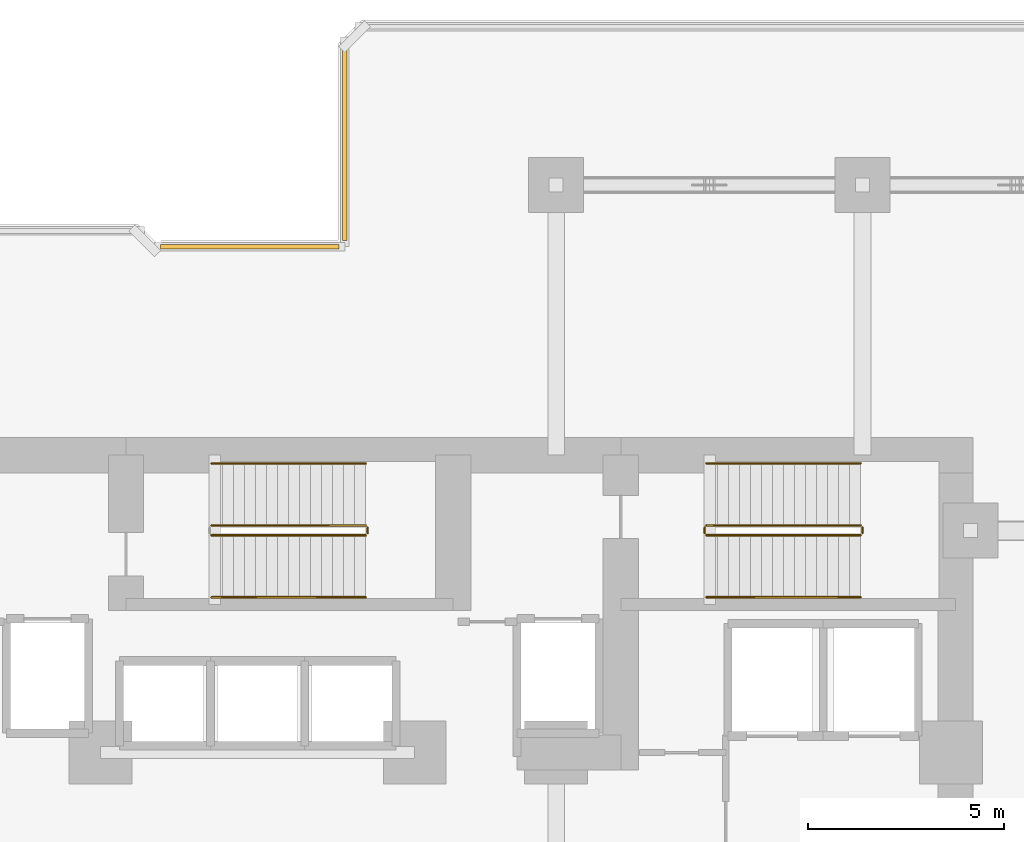
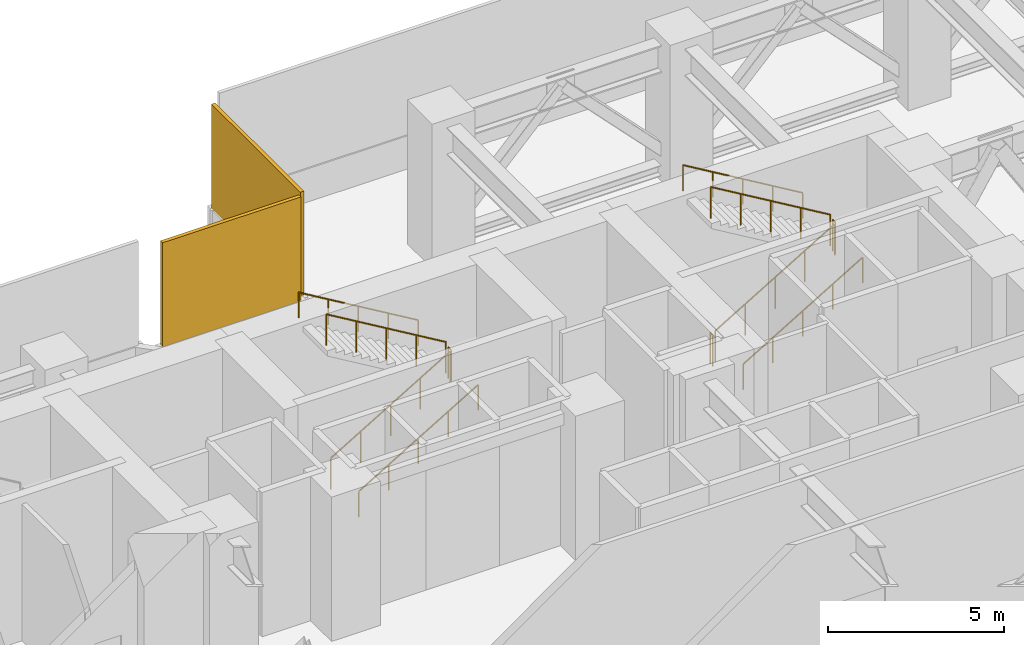
# One storey, part 12 of 13: 11 railings, 2 shading devices.
"""IFC4 building model written with IfcOpenShell, lengths in metres."""

from ifc_helpers import new_model, si_unit, direction, frame, origin, origin_2d, place, context, subcontext, project, spatial, rectangle, circle, extrude, material, layer, layer_set, type_object, element, save


model = new_model("IFC4")

# Units and contexts
model_context = context("Model", 3, precision=1e-05, world=origin(), true_north=direction((0.0, 1.0)))
body_context = subcontext(model_context, "Body", "Model", "MODEL_VIEW")
ifc_project = project(units=[si_unit("LENGTHUNIT", "METRE"), si_unit("AREAUNIT", "SQUARE_METRE"), si_unit("VOLUMEUNIT", "CUBIC_METRE"), si_unit("PLANEANGLEUNIT", "RADIAN"), si_unit("MASSUNIT", "GRAM", prefix="KILO")], contexts=[model_context])

# Site, building, storey
site_placement = place(None, origin())
site = spatial("IfcSite", under=ifc_project, at=site_placement, CompositionType="ELEMENT")
building_placement = place(site_placement, origin())
building = spatial("IfcBuilding", under=site, at=building_placement, Name="Kestravale Grand Hotel", CompositionType="ELEMENT")
storey_placement = place(building_placement, frame((0.0, 0.0, 75.39990234375)))
storey = spatial("IfcBuildingStorey", under=building, at=storey_placement, Name="L18", CompositionType="ELEMENT", Elevation=75.39990234375)

# Railings
ifc_material_1 = material(Name="Painted tubular steel stair well guard", Category="steel")
railing_type_1 = type_object("IfcRailingType", Name="RL-ST-GRD1100", PredefinedType="GUARDRAIL", material=ifc_material_1)
railing_1_placement = place(storey_placement, frame((38.030029296875, 38.280029296875, 0.166748046875)))
element("IfcRailing", 1, at=railing_1_placement, inside=storey, type_object=railing_type_1, Name="L18 ST-2 stair guard 1", PredefinedType="GUARDRAIL", context=body_context, shape_type="SweptSolid", body=[
    extrude(circle(Radius=0.02392578125, at=origin_2d()), frame((0.0, 0.0, 1.076171875), z_axis=(0.859296244711, 0.0, 0.511478214419), x_axis=(0.0, 1.0, 0.0)), (0.0, 0.0, 1.0), 4.561767578125),
    extrude(circle(Radius=0.02099609375, at=origin_2d()), origin(), (0.0, 0.0, 1.0), 1.052001953125),
    extrude(circle(Radius=0.02099609375, at=origin_2d()), frame((0.97998046875, 0.0, 0.583251953125)), (0.0, 0.0, 1.0), 1.052001953125),
    extrude(circle(Radius=0.02099609375, at=origin_2d()), frame((1.9599609375, 0.0, 1.16650390625)), (0.0, 0.0, 1.0), 1.052001953125),
    extrude(circle(Radius=0.02099609375, at=origin_2d()), frame((2.93994140625, 0.0, 1.75)), (0.0, 0.0, 1.0), 1.052001953125),
    extrude(circle(Radius=0.02099609375, at=origin_2d()), frame((3.919921875, 0.0, 2.333251953125)), (0.0, 0.0, 1.0), 1.052001953125),
])
railing_2_placement = place(storey_placement, frame((42.0, 38.330078125, 2.5)))
element("IfcRailing", 2, at=railing_2_placement, inside=storey, type_object=railing_type_1, Name="L18 ST-2 stair guard 2", PredefinedType="GUARDRAIL", context=body_context, shape_type="SweptSolid", body=[
    extrude(circle(Radius=0.02392578125, at=origin_2d()), frame((0.0, 0.0, 1.076171875), z_axis=(0.0, 1.0, 0.0), x_axis=(-1.0, 0.0, 0.0)), (0.0, 0.0, 1.0), 0.14990234375),
    extrude(circle(Radius=0.02099609375, at=origin_2d()), origin(), (0.0, 0.0, 1.0), 1.052001953125),
    extrude(circle(Radius=0.02099609375, at=origin_2d()), frame((0.0, 0.14990234375, 0.0)), (0.0, 0.0, 1.0), 1.052001953125),
])
railing_3_placement = place(storey_placement, frame((41.949951171875, 38.530029296875, 2.666748046875)))
element("IfcRailing", 3, at=railing_3_placement, inside=storey, type_object=railing_type_1, Name="L18 ST-2 stair guard 3", PredefinedType="GUARDRAIL", context=body_context, shape_type="SweptSolid", body=[
    extrude(circle(Radius=0.02392578125, at=origin_2d()), frame((0.0, 0.0, 1.076171875), z_axis=(-0.859296244711, 0.0, 0.511478214419), x_axis=(0.0, -1.0, 0.0)), (0.0, 0.0, 1.0), 4.561767578125),
    extrude(circle(Radius=0.02099609375, at=origin_2d()), origin(), (0.0, 0.0, 1.0), 1.052001953125),
    extrude(circle(Radius=0.02099609375, at=origin_2d()), frame((-0.97998046875, 0.0, 0.583251953125)), (0.0, 0.0, 1.0), 1.052001953125),
    extrude(circle(Radius=0.02099609375, at=origin_2d()), frame((-1.9599609375, 0.0, 1.16650390625)), (0.0, 0.0, 1.0), 1.052001953125),
    extrude(circle(Radius=0.02099609375, at=origin_2d()), frame((-2.93994140625, 0.0, 1.75)), (0.0, 0.0, 1.0), 1.052001953125),
    extrude(circle(Radius=0.02099609375, at=origin_2d()), frame((-3.919921875, 0.0, 2.333251953125)), (0.0, 0.0, 1.0), 1.052001953125),
])
railing_4_placement = place(storey_placement, frame((50.6298828125, 38.280029296875, 0.166748046875)))
element("IfcRailing", 4, at=railing_4_placement, inside=storey, type_object=railing_type_1, Name="L18 ST-3 stair guard 1", PredefinedType="GUARDRAIL", context=body_context, shape_type="SweptSolid", body=[
    extrude(circle(Radius=0.02392578125, at=origin_2d()), frame((0.0, 0.0, 1.076171875), z_axis=(0.859310244771, 0.0, 0.511454693235), x_axis=(0.0, 1.0, 0.0)), (0.0, 0.0, 1.0), 4.56201171875),
    extrude(circle(Radius=0.02099609375, at=origin_2d()), origin(), (0.0, 0.0, 1.0), 1.052001953125),
    extrude(circle(Radius=0.02099609375, at=origin_2d()), frame((0.97998046875, 0.0, 0.583251953125)), (0.0, 0.0, 1.0), 1.052001953125),
    extrude(circle(Radius=0.02099609375, at=origin_2d()), frame((1.9599609375, 0.0, 1.16650390625)), (0.0, 0.0, 1.0), 1.052001953125),
    extrude(circle(Radius=0.02099609375, at=origin_2d()), frame((2.940185546875, 0.0, 1.75)), (0.0, 0.0, 1.0), 1.052001953125),
    extrude(circle(Radius=0.02099609375, at=origin_2d()), frame((3.920166015625, 0.0, 2.333251953125)), (0.0, 0.0, 1.0), 1.052001953125),
])
railing_5_placement = place(storey_placement, frame((54.60009765625, 38.330078125, 2.5)))
element("IfcRailing", 5, at=railing_5_placement, inside=storey, type_object=railing_type_1, Name="L18 ST-3 stair guard 2", PredefinedType="GUARDRAIL", context=body_context, shape_type="SweptSolid", body=[
    extrude(circle(Radius=0.02392578125, at=origin_2d()), frame((0.0, 0.0, 1.076171875), z_axis=(0.0, 1.0, 0.0), x_axis=(-1.0, 0.0, 0.0)), (0.0, 0.0, 1.0), 0.14990234375),
    extrude(circle(Radius=0.02099609375, at=origin_2d()), origin(), (0.0, 0.0, 1.0), 1.052001953125),
    extrude(circle(Radius=0.02099609375, at=origin_2d()), frame((0.0, 0.14990234375, 0.0)), (0.0, 0.0, 1.0), 1.052001953125),
])
railing_6_placement = place(storey_placement, frame((54.550048828125, 38.530029296875, 2.666748046875)))
element("IfcRailing", 6, at=railing_6_placement, inside=storey, type_object=railing_type_1, Name="L18 ST-3 stair guard 3", PredefinedType="GUARDRAIL", context=body_context, shape_type="SweptSolid", body=[
    extrude(circle(Radius=0.02392578125, at=origin_2d()), frame((0.0, 0.0, 1.076171875), z_axis=(-0.859310244771, 0.0, 0.511454693235), x_axis=(0.0, -1.0, 0.0)), (0.0, 0.0, 1.0), 4.56201171875),
    extrude(circle(Radius=0.02099609375, at=origin_2d()), origin(), (0.0, 0.0, 1.0), 1.052001953125),
    extrude(circle(Radius=0.02099609375, at=origin_2d()), frame((-0.97998046875, 0.0, 0.583251953125)), (0.0, 0.0, 1.0), 1.052001953125),
    extrude(circle(Radius=0.02099609375, at=origin_2d()), frame((-1.9599609375, 0.0, 1.16650390625)), (0.0, 0.0, 1.0), 1.052001953125),
    extrude(circle(Radius=0.02099609375, at=origin_2d()), frame((-2.940185546875, 0.0, 1.75)), (0.0, 0.0, 1.0), 1.052001953125),
    extrude(circle(Radius=0.02099609375, at=origin_2d()), frame((-3.920166015625, 0.0, 2.333251953125)), (0.0, 0.0, 1.0), 1.052001953125),
])
railing_7_placement = place(storey_placement, frame((50.580078125, 38.330078125, 0.0)))
element("IfcRailing", 7, at=railing_7_placement, inside=storey, type_object=railing_type_1, Name="L18 ST-3 stair guard 4", PredefinedType="GUARDRAIL", context=body_context, shape_type="SweptSolid", body=[
    extrude(circle(Radius=0.02392578125, at=origin_2d()), frame((0.0, 0.0, 1.076171875), z_axis=(0.0, 1.0, 0.0), x_axis=(-1.0, 0.0, 0.0)), (0.0, 0.0, 1.0), 0.14990234375),
    extrude(circle(Radius=0.02099609375, at=origin_2d()), origin(), (0.0, 0.0, 1.0), 1.052001953125),
    extrude(circle(Radius=0.02099609375, at=origin_2d()), frame((0.0, 0.14990234375, 0.0)), (0.0, 0.0, 1.0), 1.052001953125),
])
ifc_material_2 = material(Name="Brushed stainless steel wall handrail", Category="steel")
railing_type_2 = type_object("IfcRailingType", Name="RL-ST-HND900", PredefinedType="HANDRAIL", material=ifc_material_2)
railing_8_placement = place(storey_placement, frame((38.030029296875, 36.699951171875, 0.166748046875)))
element("IfcRailing", 8, at=railing_8_placement, inside=storey, type_object=railing_type_2, Name="L18 ST-2 stair handrail 1", PredefinedType="HANDRAIL", context=body_context, shape_type="SweptSolid", body=[
    extrude(circle(Radius=0.02392578125, at=origin_2d()), frame((0.0, 0.0, 0.8759765625), z_axis=(0.859296244711, 0.0, 0.511478214419), x_axis=(0.0, 1.0, 0.0)), (0.0, 0.0, 1.0), 4.561767578125),
    extrude(circle(Radius=0.02099609375, at=origin_2d()), origin(), (0.0, 0.0, 1.0), 0.851806640625),
    extrude(circle(Radius=0.02099609375, at=origin_2d()), frame((0.97998046875, 0.0, 0.583251953125)), (0.0, 0.0, 1.0), 0.851806640625),
    extrude(circle(Radius=0.02099609375, at=origin_2d()), frame((1.9599609375, 0.0, 1.16650390625)), (0.0, 0.0, 1.0), 0.851806640625),
    extrude(circle(Radius=0.02099609375, at=origin_2d()), frame((2.93994140625, 0.0, 1.75)), (0.0, 0.0, 1.0), 0.851806640625),
    extrude(circle(Radius=0.02099609375, at=origin_2d()), frame((3.919921875, 0.0, 2.333251953125)), (0.0, 0.0, 1.0), 0.851806640625),
])
railing_9_placement = place(storey_placement, frame((41.949951171875, 40.110107421875, 2.666748046875)))
element("IfcRailing", 9, at=railing_9_placement, inside=storey, type_object=railing_type_2, Name="L18 ST-2 stair handrail 2", PredefinedType="HANDRAIL", context=body_context, shape_type="SweptSolid", body=[
    extrude(circle(Radius=0.02392578125, at=origin_2d()), frame((0.0, 0.0, 0.8759765625), z_axis=(-0.859296244711, 0.0, 0.511478214419), x_axis=(0.0, -1.0, 0.0)), (0.0, 0.0, 1.0), 4.561767578125),
    extrude(circle(Radius=0.02099609375, at=origin_2d()), origin(), (0.0, 0.0, 1.0), 0.851806640625),
    extrude(circle(Radius=0.02099609375, at=origin_2d()), frame((-0.97998046875, 0.0, 0.583251953125)), (0.0, 0.0, 1.0), 0.851806640625),
    extrude(circle(Radius=0.02099609375, at=origin_2d()), frame((-1.9599609375, 0.0, 1.16650390625)), (0.0, 0.0, 1.0), 0.851806640625),
    extrude(circle(Radius=0.02099609375, at=origin_2d()), frame((-2.93994140625, 0.0, 1.75)), (0.0, 0.0, 1.0), 0.851806640625),
    extrude(circle(Radius=0.02099609375, at=origin_2d()), frame((-3.919921875, 0.0, 2.333251953125)), (0.0, 0.0, 1.0), 0.851806640625),
])
railing_10_placement = place(storey_placement, frame((50.6298828125, 36.699951171875, 0.166748046875)))
element("IfcRailing", 10, at=railing_10_placement, inside=storey, type_object=railing_type_2, Name="L18 ST-3 stair handrail 1", PredefinedType="HANDRAIL", context=body_context, shape_type="SweptSolid", body=[
    extrude(circle(Radius=0.02392578125, at=origin_2d()), frame((0.0, 0.0, 0.8759765625), z_axis=(0.859310244771, 0.0, 0.511454693235), x_axis=(0.0, 1.0, 0.0)), (0.0, 0.0, 1.0), 4.56201171875),
    extrude(circle(Radius=0.02099609375, at=origin_2d()), origin(), (0.0, 0.0, 1.0), 0.851806640625),
    extrude(circle(Radius=0.02099609375, at=origin_2d()), frame((0.97998046875, 0.0, 0.583251953125)), (0.0, 0.0, 1.0), 0.851806640625),
    extrude(circle(Radius=0.02099609375, at=origin_2d()), frame((1.9599609375, 0.0, 1.16650390625)), (0.0, 0.0, 1.0), 0.851806640625),
    extrude(circle(Radius=0.02099609375, at=origin_2d()), frame((2.940185546875, 0.0, 1.75)), (0.0, 0.0, 1.0), 0.851806640625),
    extrude(circle(Radius=0.02099609375, at=origin_2d()), frame((3.920166015625, 0.0, 2.333251953125)), (0.0, 0.0, 1.0), 0.851806640625),
])
railing_11_placement = place(storey_placement, frame((54.550048828125, 40.110107421875, 2.666748046875)))
element("IfcRailing", 11, at=railing_11_placement, inside=storey, type_object=railing_type_2, Name="L18 ST-3 stair handrail 2", PredefinedType="HANDRAIL", context=body_context, shape_type="SweptSolid", body=[
    extrude(circle(Radius=0.02392578125, at=origin_2d()), frame((0.0, 0.0, 0.8759765625), z_axis=(-0.859310244771, 0.0, 0.511454693235), x_axis=(0.0, -1.0, 0.0)), (0.0, 0.0, 1.0), 4.56201171875),
    extrude(circle(Radius=0.02099609375, at=origin_2d()), origin(), (0.0, 0.0, 1.0), 0.851806640625),
    extrude(circle(Radius=0.02099609375, at=origin_2d()), frame((-0.97998046875, 0.0, 0.583251953125)), (0.0, 0.0, 1.0), 0.851806640625),
    extrude(circle(Radius=0.02099609375, at=origin_2d()), frame((-1.9599609375, 0.0, 1.16650390625)), (0.0, 0.0, 1.0), 0.851806640625),
    extrude(circle(Radius=0.02099609375, at=origin_2d()), frame((-2.940185546875, 0.0, 1.75)), (0.0, 0.0, 1.0), 0.851806640625),
    extrude(circle(Radius=0.02099609375, at=origin_2d()), frame((-3.920166015625, 0.0, 2.333251953125)), (0.0, 0.0, 1.0), 0.851806640625),
])

# Shading devices
ifc_material_3 = material(Name="Anodised bronze storm-proof acoustic ventilation louvre", Category="aluminium")
ifc_layer = layer(ifc_material_3, 0.1201171875)
ifc_layer_set = layer_set([ifc_layer], Name="SHD-LVR-REF")
shading_device_type = type_object("IfcShadingDeviceType", Name="SHD-LVR-REF", PredefinedType="JALOUSIE", material=ifc_layer_set)
shading_device_1_placement = place(storey_placement, frame((41.419921875, 48.300048828125, 1.1298828125), z_axis=(0.0, 0.0, 1.0), x_axis=(0.0, -1.0, 0.0)))
element("IfcShadingDevice", 12, at=shading_device_1_placement, inside=storey, type_object=shading_device_type, Name="L18 mechanical refuge chevron louvre 13", PredefinedType="JALOUSIE", context=body_context, shape_type="SweptSolid", body=[
    extrude(rectangle(XDim=5.0400390625, YDim=0.1201171875, at=origin_2d()), origin(), (0.0, 0.0, 1.0), 3.610107421875),
])
shading_device_2_placement = place(storey_placement, frame((39.0, 45.6298828125, 1.1298828125), z_axis=(0.0, 0.0, 1.0), x_axis=(-1.0, 0.0, 0.0)))
element("IfcShadingDevice", 13, at=shading_device_2_placement, inside=storey, type_object=shading_device_type, Name="L18 mechanical refuge chevron louvre 14", PredefinedType="JALOUSIE", context=body_context, shape_type="SweptSolid", body=[
    extrude(rectangle(XDim=4.5400390625, YDim=0.1201171875, at=origin_2d()), origin(), (0.0, 0.0, 1.0), 3.610107421875),
])

save(model, "model.ifc")
